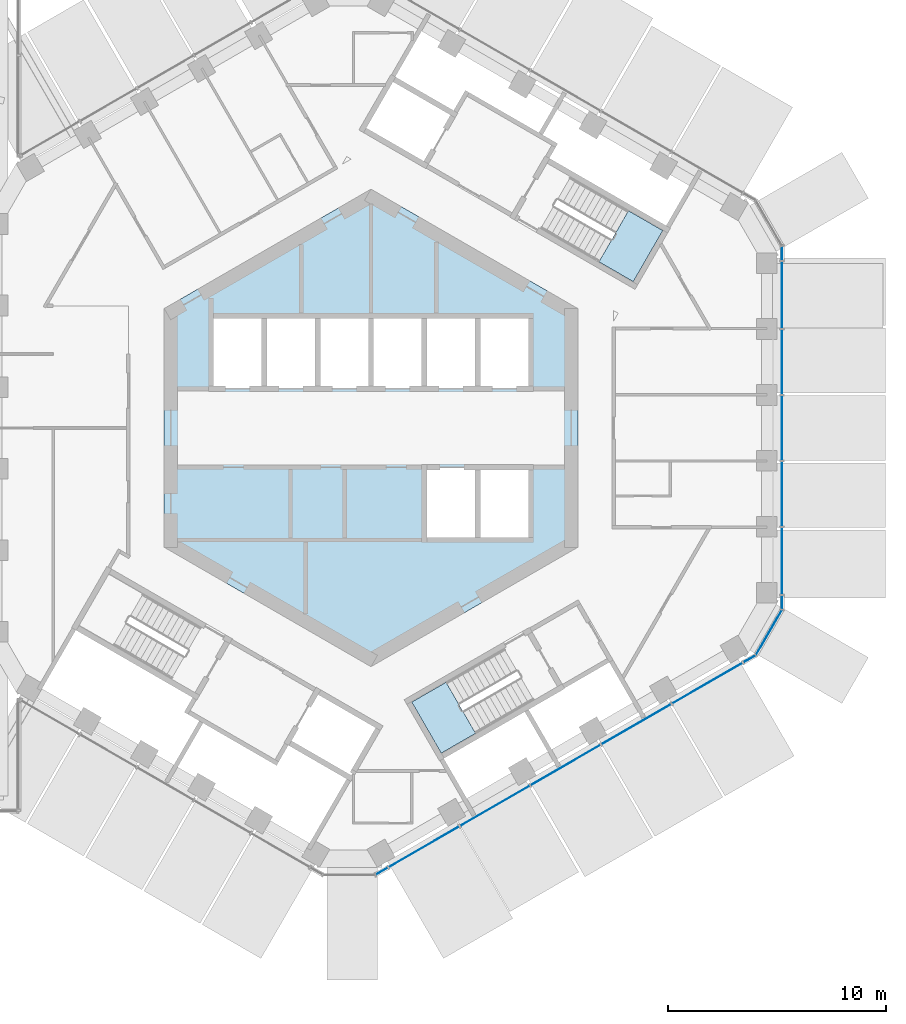
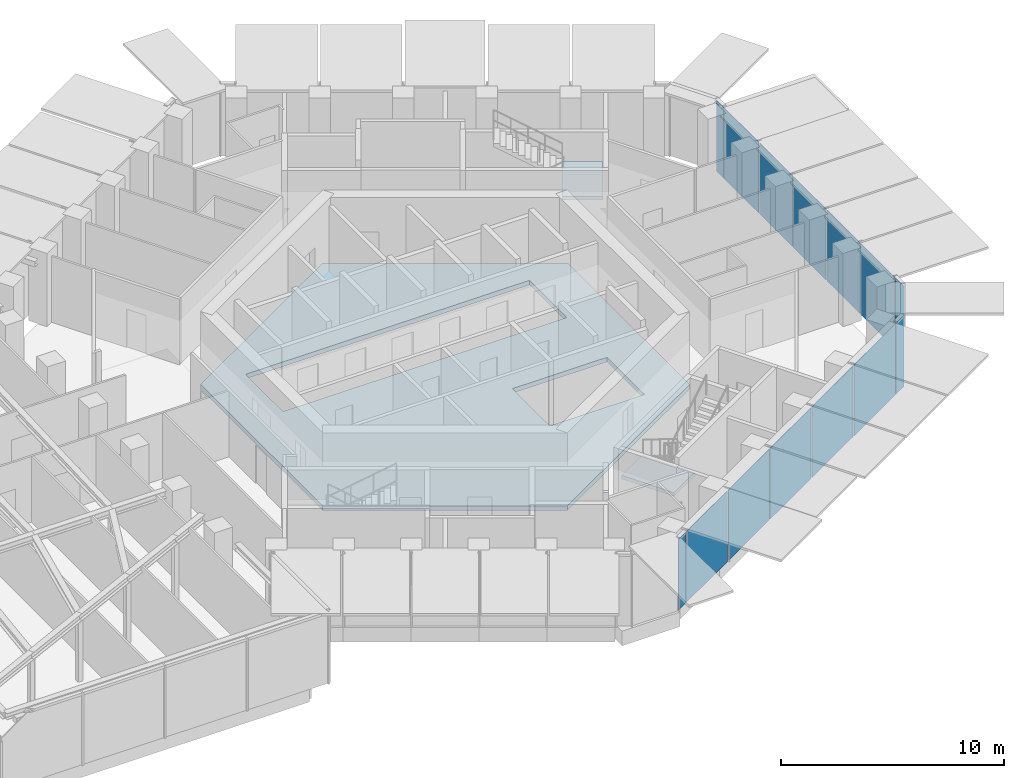
# One storey, part 12 of 24: 15 plates, 3 slabs, 7 elements without a shape of their own.
"""IFC4 building model written with IfcOpenShell, lengths in metres."""

from ifc_helpers import new_model, si_unit, direction, frame, origin, origin_2d, place, context, subcontext, project, spatial, polyline, rectangle, outline, extrude, material, layer, layer_set, type_object, element, aggregate, save


model = new_model("IFC4")

# Units and contexts
model_context = context("Model", 3, precision=1e-05, world=origin(), true_north=direction((0.0, 1.0)))
body_context = subcontext(model_context, "Body", "Model", "MODEL_VIEW")
ifc_project = project(units=[si_unit("LENGTHUNIT", "METRE"), si_unit("AREAUNIT", "SQUARE_METRE"), si_unit("VOLUMEUNIT", "CUBIC_METRE"), si_unit("PLANEANGLEUNIT", "RADIAN"), si_unit("MASSUNIT", "GRAM", prefix="KILO")], contexts=[model_context])

# Site, building, storey
site_placement = place(None, origin())
site = spatial("IfcSite", under=ifc_project, at=site_placement, CompositionType="ELEMENT")
building_placement = place(site_placement, origin())
building = spatial("IfcBuilding", under=site, at=building_placement, Name="Ayvan Gate Tower", CompositionType="ELEMENT")
storey_placement = place(building_placement, frame((0.0, 0.0, 210.10009765625)))
storey = spatial("IfcBuildingStorey", under=building, at=storey_placement, Name="L56", CompositionType="ELEMENT", Elevation=210.10009765625)

# Slab
ifc_material_1 = material(Name="Concrete C40/50", Category="concrete")
ifc_layer_1 = layer(ifc_material_1, 0.25)
ifc_layer_set_1 = layer_set([ifc_layer_1], Name="Concrete C40/50")
slab_type_1 = type_object("IfcSlabType", Name="SL-CORE-250", PredefinedType="FLOOR", material=ifc_layer_set_1)
slab_1_placement = place(storey_placement, frame((0.0, 0.0, -0.25)))
element("IfcSlab", 1, at=slab_1_placement, inside=storey, type_object=slab_type_1, Name="CS-L56", PredefinedType="FLOOR", context=body_context, shape_type="SweptSolid", body=[
    extrude(outline(polyline([(9.5, -5.48486328125), (0.0, -10.9697265625), (-9.5, -5.48486328125), (-9.5, 5.48486328125), (0.0, 10.9697265625), (9.5, 5.48486328125), (9.5, -5.48486328125)]), holes=[polyline([(-7.35009765625, 5.14990234375), (-7.35009765625, 1.800048828125), (7.35009765625, 1.800048828125), (7.35009765625, 5.14990234375), (-7.35009765625, 5.14990234375)]), polyline([(2.449951171875, -1.800048828125), (2.449951171875, -5.14990234375), (7.35009765625, -5.14990234375), (7.35009765625, -1.800048828125), (2.449951171875, -1.800048828125)])]), origin(), (0.0, 0.0, 1.0), 0.25),
])

# Stair, slab
stair_type = type_object("IfcStairType", Name="ST-EXIT", PredefinedType="HALF_TURN_STAIR", material=ifc_material_1)
stair_1_placement = place(storey_placement, origin())
stair_1 = element("IfcStair", 2, at=stair_1_placement, inside=storey, type_object=stair_type, Name="L56 Exit Stair S1", PredefinedType="HALF_TURN_STAIR")
ifc_layer_2 = layer(ifc_material_1, 0.199951171875)
ifc_layer_set_2 = layer_set([ifc_layer_2], Name="Concrete C40/50")
slab_type_2 = type_object("IfcSlabType", Name="SL-LANDING-200", PredefinedType="LANDING", material=ifc_layer_set_2)
slab_2_placement = place(storey_placement, frame((0.0, 0.0, 1.7998046875)))
slab_2 = element("IfcSlab", 3, at=slab_2_placement, type_object=slab_type_2, Name="STS1 landing 1", PredefinedType="LANDING", context=body_context, shape_type="SweptSolid", body=[
    extrude(outline(polyline([(10.473388671875, 7.630615234375), (12.049560546875, 6.720458984375), (13.404541015625, 9.0673828125), (11.828369140625, 9.9775390625), (10.473388671875, 7.630615234375)])), origin(), (0.0, 0.0, 1.0), 0.2001953125),
])
aggregate(stair_1, [slab_2])

stair_2_placement = place(storey_placement, origin())
stair_2 = element("IfcStair", 4, at=stair_2_placement, inside=storey, type_object=stair_type, Name="L56 Exit Stair S3", PredefinedType="HALF_TURN_STAIR")
slab_3_placement = place(storey_placement, frame((0.0, 0.0, 1.7998046875)))
slab_3 = element("IfcSlab", 5, at=slab_3_placement, type_object=slab_type_2, Name="STS3 landing 1", PredefinedType="LANDING", context=body_context, shape_type="SweptSolid", body=[
    extrude(outline(polyline([(3.449951171875, -11.685546875), (1.873779296875, -12.595458984375), (3.228759765625, -14.9423828125), (4.804931640625, -14.032470703125), (3.449951171875, -11.685546875)])), origin(), (0.0, 0.0, 1.0), 0.2001953125),
])
aggregate(stair_2, [slab_3])

# Curtain wall, plates
ifc_material_2 = material(Name="Bronze anodised aluminium", Category="aluminium")
ifc_layer_3 = layer(ifc_material_2, 0.199951171875)
ifc_layer_set_3 = layer_set([ifc_layer_3], Name="Bronze anodised aluminium")
curtain_wall_type_1 = type_object("IfcCurtainWallType", Name="Stick curtain wall CW-2", PredefinedType="NOTDEFINED", material=ifc_layer_set_3)
curtain_wall_1_placement = place(storey_placement, origin())
curtain_wall_1 = element("IfcCurtainWall", 6, at=curtain_wall_1_placement, inside=storey, type_object=curtain_wall_type_1, Name="Stick curtain wall CW-2 L56", PredefinedType="NOTDEFINED")
ifc_material_3 = material(Name="Clear low-iron laminated glass", Category="glass")
ifc_layer_4 = layer(ifc_material_3, 0.028076171875)
ifc_layer_set_4 = layer_set([ifc_layer_4], Name="Clear low-iron laminated glass")
plate_type_1 = type_object("IfcPlateType", Name="Stick curtain wall CW-2 glass panel", PredefinedType="CURTAIN_PANEL", material=ifc_layer_set_4)
plate_1_placement = place(storey_placement, frame((2.421875, -19.253173828125, 0.0), z_axis=(0.0, 0.0, 1.0), x_axis=(0.866025403784, 0.5, 0.0)))
plate_1 = element("IfcPlate", 7, at=plate_1_placement, type_object=plate_type_1, Name="CW-2 glass panel 1", PredefinedType="CURTAIN_PANEL", context=body_context, shape_type="SweptSolid", body=[
    extrude(rectangle(XDim=3.7490234375, YDim=0.028076171875, at=origin_2d()), origin(), (0.0, 0.0, 1.0), 3.8798828125),
])
plate_2_placement = place(storey_placement, frame((5.69775390625, -17.36181640625, 0.0), z_axis=(0.0, 0.0, 1.0), x_axis=(0.866025403784, 0.5, 0.0)))
plate_2 = element("IfcPlate", 8, at=plate_2_placement, type_object=plate_type_1, Name="CW-2 glass panel 2", PredefinedType="CURTAIN_PANEL", context=body_context, shape_type="SweptSolid", body=[
    extrude(rectangle(XDim=3.676025390625, YDim=0.028076171875, at=origin_2d()), origin(), (0.0, 0.0, 1.0), 3.8798828125),
])
plate_3_placement = place(storey_placement, frame((8.942138671875, -15.488525390625, 0.0), z_axis=(0.0, 0.0, 1.0), x_axis=(0.866025403784, 0.5, 0.0)))
plate_3 = element("IfcPlate", 9, at=plate_3_placement, type_object=plate_type_1, Name="CW-2 glass panel 3", PredefinedType="CURTAIN_PANEL", context=body_context, shape_type="SweptSolid", body=[
    extrude(rectangle(XDim=3.677001953125, YDim=0.028076171875, at=origin_2d()), origin(), (0.0, 0.0, 1.0), 3.8798828125),
])
plate_4_placement = place(storey_placement, frame((12.187255859375, -13.614990234375, 0.0), z_axis=(0.0, 0.0, 1.0), x_axis=(0.866025403784, 0.5, 0.0)))
plate_4 = element("IfcPlate", 10, at=plate_4_placement, type_object=plate_type_1, Name="CW-2 glass panel 4", PredefinedType="CURTAIN_PANEL", context=body_context, shape_type="SweptSolid", body=[
    extrude(rectangle(XDim=3.677001953125, YDim=0.028076171875, at=origin_2d()), origin(), (0.0, 0.0, 1.0), 3.8798828125),
])
plate_5_placement = place(storey_placement, frame((15.463134765625, -11.723876953125, 0.0), z_axis=(0.0, 0.0, 1.0), x_axis=(0.866025403784, 0.5, 0.0)))
plate_5 = element("IfcPlate", 11, at=plate_5_placement, type_object=plate_type_1, Name="CW-2 glass panel 5", PredefinedType="CURTAIN_PANEL", context=body_context, shape_type="SweptSolid", body=[
    extrude(rectangle(XDim=3.748046875, YDim=0.028076171875, at=origin_2d()), origin(), (0.0, 0.0, 1.0), 3.8798828125),
])
aggregate(curtain_wall_1, [plate_1, plate_2, plate_3, plate_4, plate_5])

curtain_wall_2_placement = place(storey_placement, origin())
curtain_wall_2 = element("IfcCurtainWall", 12, at=curtain_wall_2_placement, inside=storey, type_object=curtain_wall_type_1, Name="Stick curtain wall CW-2 L56", PredefinedType="NOTDEFINED")
plate_6_placement = place(storey_placement, frame((18.886474609375, -6.122802734375, 0.0), z_axis=(0.0, 0.0, 1.0), x_axis=(0.0, 1.0, 0.0)))
plate_6 = element("IfcPlate", 13, at=plate_6_placement, type_object=plate_type_1, Name="CW-2 glass panel 1", PredefinedType="CURTAIN_PANEL", context=body_context, shape_type="SweptSolid", body=[
    extrude(rectangle(XDim=3.091064453125, YDim=0.028076171875, at=origin_2d()), origin(), (0.0, 0.0, 1.0), 3.8798828125),
])
plate_7_placement = place(storey_placement, frame((18.886474609375, -3.028076171875, 0.0), z_axis=(0.0, 0.0, 1.0), x_axis=(0.0, 1.0, 0.0)))
plate_7 = element("IfcPlate", 14, at=plate_7_placement, type_object=plate_type_1, Name="CW-2 glass panel 2", PredefinedType="CURTAIN_PANEL", context=body_context, shape_type="SweptSolid", body=[
    extrude(rectangle(XDim=2.9580078125, YDim=0.028076171875, at=origin_2d()), origin(), (0.0, 0.0, 1.0), 3.8798828125),
])
plate_8_placement = place(storey_placement, frame((18.886474609375, -0.000244140625, 0.0), z_axis=(0.0, 0.0, 1.0), x_axis=(0.0, 1.0, 0.0)))
plate_8 = element("IfcPlate", 15, at=plate_8_placement, type_object=plate_type_1, Name="CW-2 glass panel 3", PredefinedType="CURTAIN_PANEL", context=body_context, shape_type="SweptSolid", body=[
    extrude(rectangle(XDim=2.9580078125, YDim=0.028076171875, at=origin_2d()), origin(), (0.0, 0.0, 1.0), 3.8798828125),
])
plate_9_placement = place(storey_placement, frame((18.886474609375, 3.0283203125, 0.0), z_axis=(0.0, 0.0, 1.0), x_axis=(0.0, 1.0, 0.0)))
plate_9 = element("IfcPlate", 16, at=plate_9_placement, type_object=plate_type_1, Name="CW-2 glass panel 4", PredefinedType="CURTAIN_PANEL", context=body_context, shape_type="SweptSolid", body=[
    extrude(rectangle(XDim=2.958984375, YDim=0.028076171875, at=origin_2d()), origin(), (0.0, 0.0, 1.0), 3.8798828125),
])
plate_10_placement = place(storey_placement, frame((18.886474609375, 6.123046875, 0.0), z_axis=(0.0, 0.0, 1.0), x_axis=(0.0, 1.0, 0.0)))
plate_10 = element("IfcPlate", 17, at=plate_10_placement, type_object=plate_type_1, Name="CW-2 glass panel 5", PredefinedType="CURTAIN_PANEL", context=body_context, shape_type="SweptSolid", body=[
    extrude(rectangle(XDim=3.09033203125, YDim=0.028076171875, at=origin_2d()), origin(), (0.0, 0.0, 1.0), 3.8798828125),
])
aggregate(curtain_wall_2, [plate_6, plate_7, plate_8, plate_9, plate_10])

# Curtain wall, plate
ifc_layer_5 = layer(ifc_material_2, 0.199951171875)
ifc_layer_set_5 = layer_set([ifc_layer_5], Name="Bronze anodised aluminium")
curtain_wall_type_2 = type_object("IfcCurtainWallType", Name="Stick curtain wall CW-6", PredefinedType="NOTDEFINED", material=ifc_layer_set_5)
curtain_wall_3_placement = place(storey_placement, origin())
curtain_wall_3 = element("IfcCurtainWall", 18, at=curtain_wall_3_placement, inside=storey, type_object=curtain_wall_type_2, Name="Stick curtain wall CW-6 L56", PredefinedType="NOTDEFINED")
ifc_layer_6 = layer(ifc_material_3, 0.028076171875)
ifc_layer_set_6 = layer_set([ifc_layer_6], Name="Clear low-iron laminated glass")
plate_type_2 = type_object("IfcPlateType", Name="Stick curtain wall CW-6 glass panel", PredefinedType="CURTAIN_PANEL", material=ifc_layer_set_6)
plate_11_placement = place(storey_placement, frame((0.49755859375, -20.364013671875, 0.0), z_axis=(0.0, 0.0, 1.0), x_axis=(0.866025403784, 0.5, 0.0)))
plate_11 = element("IfcPlate", 19, at=plate_11_placement, type_object=plate_type_2, Name="CW-6 glass panel 3", PredefinedType="CURTAIN_PANEL", context=body_context, shape_type="SweptSolid", body=[
    extrude(rectangle(XDim=0.625, YDim=0.028076171875, at=origin_2d()), origin(), (0.0, 0.0, 1.0), 3.8798828125),
])
aggregate(curtain_wall_3, [plate_11])

# Curtain wall, plates
curtain_wall_4_placement = place(storey_placement, origin())
curtain_wall_4 = element("IfcCurtainWall", 20, at=curtain_wall_4_placement, inside=storey, type_object=curtain_wall_type_2, Name="Stick curtain wall CW-6 L56", PredefinedType="NOTDEFINED")
plate_12_placement = place(storey_placement, frame((17.386962890625, -10.613037109375, 0.0), z_axis=(0.0, 0.0, 1.0), x_axis=(0.866025403784, 0.5, 0.0)))
plate_12 = element("IfcPlate", 21, at=plate_12_placement, type_object=plate_type_2, Name="CW-6 glass panel 1", PredefinedType="CURTAIN_PANEL", context=body_context, shape_type="SweptSolid", body=[
    extrude(rectangle(XDim=0.625, YDim=0.028076171875, at=origin_2d()), origin(), (0.0, 0.0, 1.0), 3.8798828125),
])
plate_13_placement = place(storey_placement, frame((18.282958984375, -9.398681640625, 0.0), z_axis=(0.0, 0.0, 1.0), x_axis=(0.5, 0.866025403784, 0.0)))
plate_13 = element("IfcPlate", 22, at=plate_13_placement, type_object=plate_type_2, Name="CW-6 glass panel 2", PredefinedType="CURTAIN_PANEL", context=body_context, shape_type="SweptSolid", body=[
    extrude(rectangle(XDim=2.364501953125, YDim=0.028076171875, at=origin_2d()), origin(), (0.0, 0.0, 1.0), 3.8798828125),
])
plate_14_placement = place(storey_placement, frame((18.886474609375, -8.015625, 0.0), z_axis=(0.0, 0.0, 1.0), x_axis=(0.0, 1.0, 0.0)))
plate_14 = element("IfcPlate", 23, at=plate_14_placement, type_object=plate_type_2, Name="CW-6 glass panel 3", PredefinedType="CURTAIN_PANEL", context=body_context, shape_type="SweptSolid", body=[
    extrude(rectangle(XDim=0.625, YDim=0.028076171875, at=origin_2d()), origin(), (0.0, 0.0, 1.0), 3.8798828125),
])
aggregate(curtain_wall_4, [plate_12, plate_13, plate_14])

# Curtain wall, plate
curtain_wall_5_placement = place(storey_placement, origin())
curtain_wall_5 = element("IfcCurtainWall", 24, at=curtain_wall_5_placement, inside=storey, type_object=curtain_wall_type_2, Name="Stick curtain wall CW-6 L56", PredefinedType="NOTDEFINED")
plate_15_placement = place(storey_placement, frame((18.886474609375, 8.015625, 0.0), z_axis=(0.0, 0.0, 1.0), x_axis=(0.0, 1.0, 0.0)))
plate_15 = element("IfcPlate", 25, at=plate_15_placement, type_object=plate_type_2, Name="CW-6 glass panel 1", PredefinedType="CURTAIN_PANEL", context=body_context, shape_type="SweptSolid", body=[
    extrude(rectangle(XDim=0.625, YDim=0.028076171875, at=origin_2d()), origin(), (0.0, 0.0, 1.0), 3.8798828125),
])
aggregate(curtain_wall_5, [plate_15])

save(model, "model.ifc")
